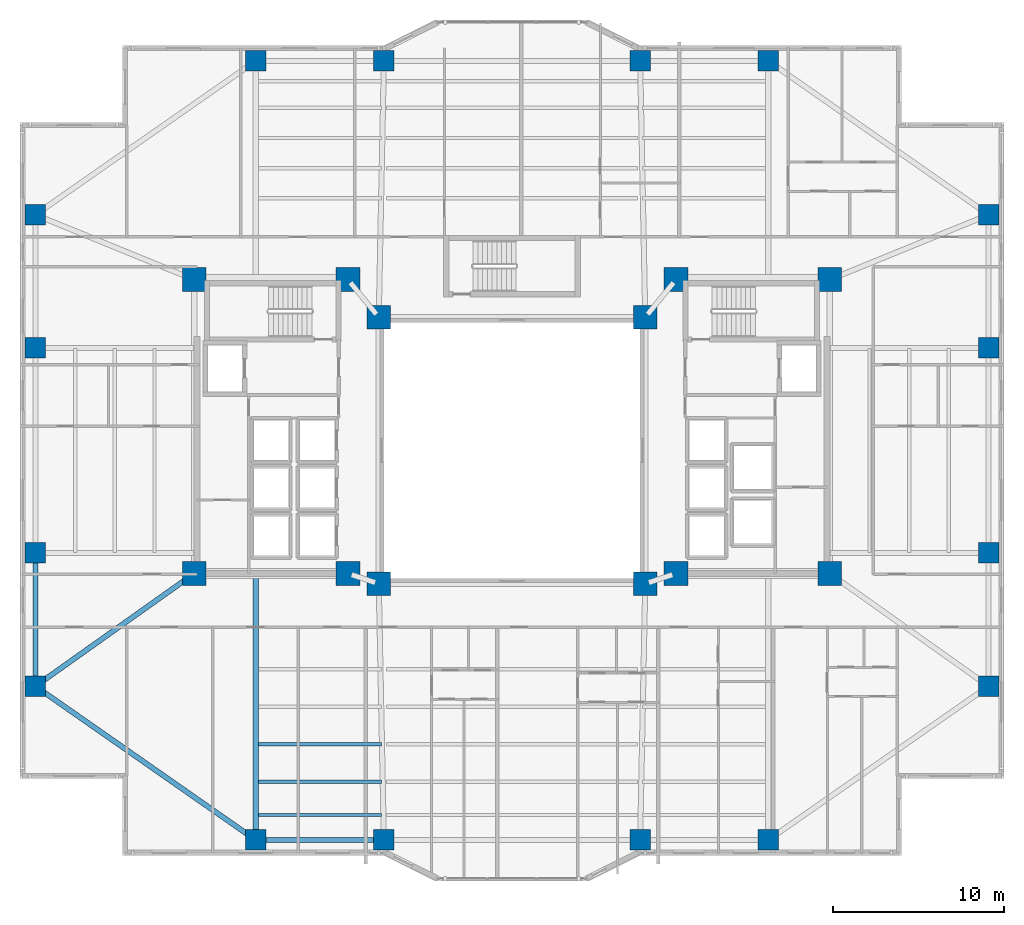
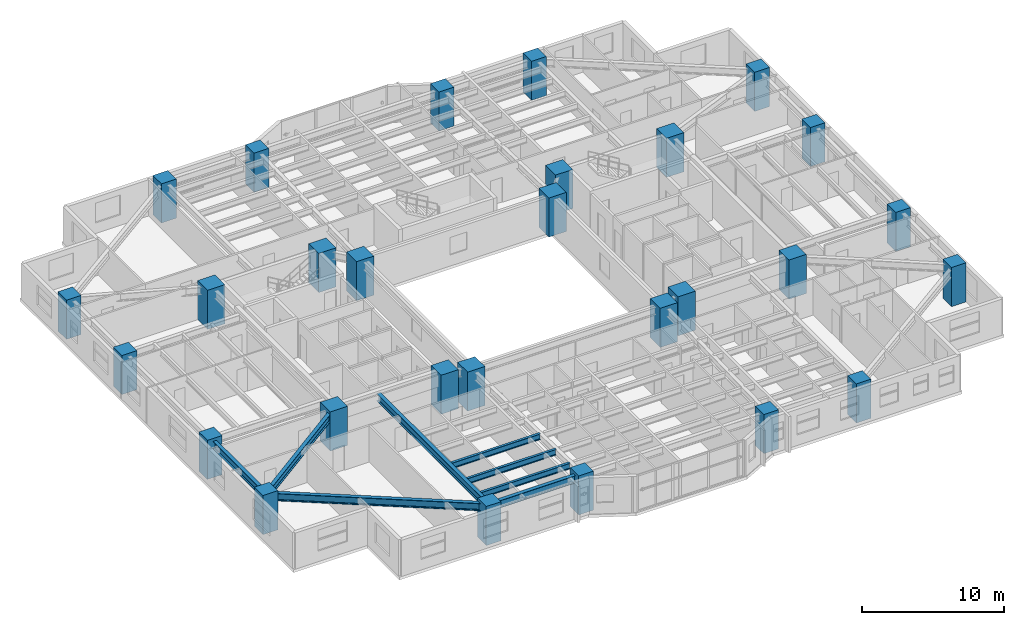
# One storey, part 1 of 21: 28 columns, 8 beams.
"""IFC4 building model written with IfcOpenShell, lengths in metres."""

import ifcopenshell
import ifcopenshell.guid

model = None  # the IFC model being written
_history = None  # IfcOwnerHistory: only IFC2X3 demands one
_inside = {}  # id of a spatial element -> (the spatial element, [elements in it])
_under = {}  # id of a project, library or spatial element -> (it, [spatial elements below it])
_declared = {}  # id of a project -> (the project, [libraries it declares])
_typed = {}  # id of a type object -> (the type object, [elements of that type])
_made_of = {}  # id of a material, layer set ... -> (it, [elements and type objects made of it])


def new_model(schema):
    """Start an empty IFC model of exactly this schema.

    Asked for "IFC4X3", IfcOpenShell would pick the latest addendum, in which some entities
    have other attributes; the version numbers below select the first issue.
    IFC2X3 requires an IfcOwnerHistory on every rooted entity: one is made here for all.
    """
    global model, _history
    if schema == "IFC4X3":
        model = ifcopenshell.file(schema_version=(4, 3, 0, 0))
    else:
        model = ifcopenshell.file(schema=schema)
    _inside.clear()
    _under.clear()
    _declared.clear()
    _typed.clear()
    _made_of.clear()
    _history = None
    if model.schema == "IFC2X3":
        org = make("IfcOrganization", Name="unknown")
        user = make(
            "IfcPersonAndOrganization",
            ThePerson=make("IfcPerson", FamilyName="unknown"),
            TheOrganization=org,
        )
        app = make(
            "IfcApplication",
            ApplicationDeveloper=org,
            Version="unknown",
            ApplicationFullName="unknown",
            ApplicationIdentifier="unknown",
        )
        _history = make(
            "IfcOwnerHistory",
            OwningUser=user,
            OwningApplication=app,
            ChangeAction="ADDED",
            CreationDate=0,
        )
    return model


def make(cls, **values):
    """One entity of the class cls with the attributes given. An attribute that is None is left unset."""
    return model.create_entity(
        cls, **{name: value for name, value in values.items() if value is not None}
    )


def rooted(cls, **values):
    """An entity with a GlobalId (a new one), such as an element, a storey or a relation."""
    return make(cls, GlobalId=ifcopenshell.guid.new(), OwnerHistory=_history, **values)


def si_unit(unit_type, name, prefix=None):
    """IfcSIUnit, for example si_unit("LENGTHUNIT", "METRE", prefix="MILLI")."""
    return make("IfcSIUnit", UnitType=unit_type, Prefix=prefix, Name=name)


def assignment(units):
    """IfcUnitAssignment: the units of a project."""
    return None if units is None else make("IfcUnitAssignment", Units=units)


def point(xyz):
    """IfcCartesianPoint."""
    return None if xyz is None else make("IfcCartesianPoint", Coordinates=xyz)


def direction(xyz):
    """IfcDirection."""
    return None if xyz is None else make("IfcDirection", DirectionRatios=xyz)


def frame(location, z_axis=None, x_axis=None):
    """IfcAxis2Placement3D, a coordinate frame: its origin and axes. An axis left out is left unset."""
    return make(
        "IfcAxis2Placement3D",
        Location=point(location),
        Axis=direction(z_axis),
        RefDirection=direction(x_axis),
    )


def frame_2d(location, x_axis=None):
    """IfcAxis2Placement2D, a coordinate frame in the plane: its origin and x axis."""
    return make(
        "IfcAxis2Placement2D", Location=point(location), RefDirection=direction(x_axis)
    )


def origin():
    """The frame at (0, 0, 0) with its axes left unset."""
    return frame((0.0, 0.0, 0.0))


def origin_2d():
    """The frame at (0, 0) in the plane with its x axis left unset."""
    return frame_2d((0.0, 0.0))


def place(relative_to, where):
    """IfcLocalPlacement: puts the frame where relative to a parent placement (None: the world)."""
    return make(
        "IfcLocalPlacement", PlacementRelTo=relative_to, RelativePlacement=where
    )


def context(
    kind, dimensions, precision=None, world=None, true_north=None, identifier=None
):
    """IfcGeometricRepresentationContext, for example the 3D "Model" context."""
    return make(
        "IfcGeometricRepresentationContext",
        ContextIdentifier=identifier,
        ContextType=kind,
        CoordinateSpaceDimension=dimensions,
        Precision=precision,
        WorldCoordinateSystem=world,
        TrueNorth=true_north,
    )


def subcontext(parent, identifier, kind, view, scale=None):
    """IfcGeometricRepresentationSubContext, for example "Body" below "Model"."""
    return make(
        "IfcGeometricRepresentationSubContext",
        ContextIdentifier=identifier,
        ContextType=kind,
        ParentContext=parent,
        TargetScale=scale,
        TargetView=view,
    )


def project(units=None, contexts=None):
    """IfcProject with its units and contexts."""
    return rooted(
        "IfcProject",
        Name="project",
        RepresentationContexts=contexts,
        UnitsInContext=assignment(units),
    )


def spatial(cls, under=None, at=None, **own):
    """A site, building, storey or space (cls), placed at a placement, below another one or the project."""
    s = rooted(cls, ObjectPlacement=at, **own)
    if under is not None:
        _under.setdefault(under.id(), (under, []))[1].append(s)
    return s


def profile(cls, at=None, kind="AREA", **sizes):
    """A parametric profile (cls). Its sizes go by their IFC names, for example OverallWidth=200.0."""
    return make(cls, ProfileType=kind, Position=at, **sizes)


def rectangle(**sizes):
    """IfcRectangleProfileDef."""
    return profile("IfcRectangleProfileDef", **sizes)


def i_section(**sizes):
    """IfcIShapeProfileDef."""
    return profile("IfcIShapeProfileDef", **sizes)


def extrude(swept, where, along, depth):
    """IfcExtrudedAreaSolid: the profile swept, set in the frame where, extruded along a direction by depth."""
    return make(
        "IfcExtrudedAreaSolid",
        SweptArea=swept,
        Position=where,
        ExtrudedDirection=direction(along),
        Depth=depth,
    )


def shape(context_of_items, identifier, shape_type, items):
    """IfcShapeRepresentation: the items that make up one representation, for example the "Body"."""
    return make(
        "IfcShapeRepresentation",
        ContextOfItems=context_of_items,
        RepresentationIdentifier=identifier,
        RepresentationType=shape_type,
        Items=items,
    )


def material(Name=None, Category=None):
    """IfcMaterial."""
    return make("IfcMaterial", Name=Name, Category=Category)


def material_profile(
    of_material, cross_section, Name=None, Category=None, Priority=None
):
    """IfcMaterialProfile: a cross section and its material."""
    return make(
        "IfcMaterialProfile",
        Name=Name,
        Material=of_material,
        Profile=cross_section,
        Priority=Priority,
        Category=Category,
    )


def profile_set(profiles, Name=None, composite=None):
    """IfcMaterialProfileSet."""
    return make(
        "IfcMaterialProfileSet",
        Name=Name,
        MaterialProfiles=profiles,
        CompositeProfile=composite,
    )


def made_of(thing, what):
    """Note that an element or type object is made of a material, layer set ...; save() writes the relation."""
    if what is not None:
        _made_of.setdefault(what.id(), (what, []))[1].append(thing)
    return thing


def type_object(cls, material=None, **own):
    """A type object (cls), such as IfcWallType, which elements share."""
    return made_of(rooted(cls, **own), material)


def element(
    cls,
    number,
    at=None,
    inside=None,
    cuts=None,
    type_object=None,
    material=None,
    context=None,
    identifier="Body",
    shape_type=None,
    held_by="IfcProductDefinitionShape",
    body=None,
    shapes=None,
    **own,
):
    """One element of the class cls, such as IfcWall. Its Tag is "e" and its number.

    at: its placement. inside: the storey or other place that contains it. cuts: it is an
    opening in that element (IfcRelVoidsElement). A single representation is given by context,
    identifier, shape_type and body (its items); several are given by shapes. held_by: the class
    of the entity that holds the representations. save() writes the other relations.
    """
    e = rooted(cls, Tag="e%d" % number, ObjectPlacement=at, **own)
    if body is not None:
        shapes = [shape(context, identifier, shape_type, body)]
    if shapes is not None:
        e.Representation = make(held_by, Representations=shapes)
    if inside is not None:
        _inside.setdefault(inside.id(), (inside, []))[1].append(e)
    if cuts is not None:
        rooted(
            "IfcRelVoidsElement", RelatingBuildingElement=cuts, RelatedOpeningElement=e
        )
    if type_object is not None:
        _typed.setdefault(type_object.id(), (type_object, []))[1].append(e)
    return made_of(e, material)


def aggregate(whole, parts):
    """IfcRelAggregates: a whole, such as a stair, and the parts it consists of."""
    return rooted("IfcRelAggregates", RelatingObject=whole, RelatedObjects=parts)


def save(model, path):
    """Write the relations noted so far, then the file.

    IfcRelAggregates (storeys below a building ...), IfcRelContainedInSpatialStructure (elements
    in a storey), IfcRelDefinesByType, IfcRelAssociatesMaterial and IfcRelDeclares: one each for
    every whole, place, type object, material and project.
    """
    for whole, parts in _under.values():
        aggregate(whole, parts)
    for where, things in _inside.values():
        rooted(
            "IfcRelContainedInSpatialStructure",
            RelatedElements=things,
            RelatingStructure=where,
        )
    for kind, things in _typed.values():
        rooted("IfcRelDefinesByType", RelatedObjects=things, RelatingType=kind)
    for what, things in _made_of.values():
        rooted("IfcRelAssociatesMaterial", RelatedObjects=things, RelatingMaterial=what)
    for by, libraries in _declared.values():
        rooted("IfcRelDeclares", RelatingContext=by, RelatedDefinitions=libraries)
    model.write(path)


model = new_model("IFC4")

# Units and contexts
model_context = context("Model", 3, precision=1e-05, world=origin(), true_north=direction((0.0, 1.0)))
body_context = subcontext(model_context, "Body", "Model", "MODEL_VIEW")
ifc_project = project(units=[si_unit("LENGTHUNIT", "METRE"), si_unit("AREAUNIT", "SQUARE_METRE"), si_unit("VOLUMEUNIT", "CUBIC_METRE"), si_unit("PLANEANGLEUNIT", "RADIAN"), si_unit("MASSUNIT", "GRAM", prefix="KILO")], contexts=[model_context])

# Site, building, storey
site_placement = place(None, origin())
site = spatial("IfcSite", under=ifc_project, at=site_placement, CompositionType="ELEMENT")
building_placement = place(site_placement, origin())
building = spatial("IfcBuilding", under=site, at=building_placement, Name="Tarnavaz Court Tower", CompositionType="ELEMENT")
storey_placement = place(building_placement, frame((0.0, 0.0, 44.10009765625)))
storey = spatial("IfcBuildingStorey", under=building, at=storey_placement, Name="L11", CompositionType="ELEMENT", Elevation=44.10009765625)

# Columns
ifc_material_1 = material(Name="Concrete C60/75", Category="concrete")
ifc_material_profile_1 = material_profile(ifc_material_1, rectangle(XDim=1.199951171875, YDim=1.199951171875, at=origin_2d()), Name="RC 1200X1200")
ifc_profile_set_1 = profile_set([ifc_material_profile_1], Name="Concrete C60/75")
column_type_1 = type_object("IfcColumnType", Name="CL-RC1200", PredefinedType="COLUMN", material=ifc_profile_set_1)
for number, where, z_axis, x_axis, name in (
    (1, (-15.0, 22.800048828125, 0.0), (0.0, 0.0, 1.0), (1.0, 0.0, 0.0), "L11 Column PN-1"),
    (2, (-7.5, 22.800048828125, 0.0), (0.0, 0.0, 1.0), (1.0, 0.0, 0.0), "L11 Column PN-2"),
    (3, (7.5, 22.800048828125, 0.0), (0.0, 0.0, 1.0), (1.0, 0.0, 0.0), "L11 Column PN-3"),
    (4, (15.0, 22.800048828125, 0.0), (0.0, 0.0, 1.0), (1.0, 0.0, 0.0), "L11 Column PN-4"),
    (5, (-15.0, -22.800048828125, 0.0), (0.0, 0.0, 1.0), (1.0, 0.0, 0.0), "L11 Column PS-1"),
    (6, (-7.5, -22.800048828125, 0.0), (0.0, 0.0, 1.0), (1.0, 0.0, 0.0), "L11 Column PS-2"),
    (7, (7.5, -22.800048828125, 0.0), (0.0, 0.0, 1.0), (1.0, 0.0, 0.0), "L11 Column PS-3"),
    (8, (15.0, -22.800048828125, 0.0), (0.0, 0.0, 1.0), (1.0, 0.0, 0.0), "L11 Column PS-4"),
    (9, (27.89990234375, -13.800048828125, 0.0), (0.0, 0.0, 1.0), (1.0, 0.0, 0.0), "L11 Column PE-1"),
    (10, (27.89990234375, -6.0, 0.0), (0.0, 0.0, 1.0), (1.0, 0.0, 0.0), "L11 Column PE-2"),
    (11, (27.89990234375, 6.0, 0.0), (0.0, 0.0, 1.0), (1.0, 0.0, 0.0), "L11 Column PE-3"),
    (12, (27.89990234375, 13.800048828125, 0.0), (0.0, 0.0, 1.0), (1.0, 0.0, 0.0), "L11 Column PE-4"),
    (13, (-27.89990234375, -13.800048828125, 0.0), (0.0, 0.0, 1.0), (1.0, 0.0, 0.0), "L11 Column PW-1"),
    (14, (-27.89990234375, -6.0, 0.0), (0.0, 0.0, 1.0), (1.0, 0.0, 0.0), "L11 Column PW-2"),
    (15, (-27.89990234375, 6.0, 0.0), (0.0, 0.0, 1.0), (1.0, 0.0, 0.0), "L11 Column PW-3"),
    (16, (-27.89990234375, 13.800048828125, 0.0), (0.0, 0.0, 1.0), (1.0, 0.0, 0.0), "L11 Column PW-4"),
):
    element("IfcColumn", number, at=place(storey_placement, frame(where, z_axis=z_axis, x_axis=x_axis)), inside=storey, type_object=column_type_1, Name=name, PredefinedType="COLUMN", context=body_context, shape_type="SweptSolid", body=[
        extrude(rectangle(XDim=1.199951171875, YDim=1.199951171875, at=origin_2d()), origin(), (0.0, 0.0, 1.0), 3.349853515625),
    ])
ifc_material_profile_2 = material_profile(ifc_material_1, rectangle(XDim=1.39990234375, YDim=1.39990234375, at=origin_2d()), Name="RC 1400X1400")
ifc_profile_set_2 = profile_set([ifc_material_profile_2], Name="Concrete C60/75")
column_type_2 = type_object("IfcColumnType", Name="CL-RC1400", PredefinedType="COLUMN", material=ifc_profile_set_2)
for number, where, z_axis, x_axis, name in (
    (17, (-7.800048828125, -7.800048828125, 0.0), (0.0, 0.0, 1.0), (1.0, 0.0, 0.0), "L11 Column IW-SW"),
    (18, (7.800048828125, -7.800048828125, 0.0), (0.0, 0.0, 1.0), (1.0, 0.0, 0.0), "L11 Column IW-SE"),
    (19, (-7.800048828125, 7.800048828125, 0.0), (0.0, 0.0, 1.0), (1.0, 0.0, 0.0), "L11 Column IW-NW"),
    (20, (7.800048828125, 7.800048828125, 0.0), (0.0, 0.0, 1.0), (1.0, 0.0, 0.0), "L11 Column IW-NE"),
    (21, (-9.60009765625, -7.199951171875, 0.0), (0.0, 0.0, 1.0), (1.0, 0.0, 0.0), "L11 Column CW-SI"),
    (22, (-9.60009765625, 10.0, 0.0), (0.0, 0.0, 1.0), (1.0, 0.0, 0.0), "L11 Column CW-NI"),
    (23, (9.60009765625, -7.199951171875, 0.0), (0.0, 0.0, 1.0), (1.0, 0.0, 0.0), "L11 Column CE-SI"),
    (24, (9.60009765625, 10.0, 0.0), (0.0, 0.0, 1.0), (1.0, 0.0, 0.0), "L11 Column CE-NI"),
    (25, (-18.60009765625, -7.199951171875, 0.0), (0.0, 0.0, 1.0), (1.0, 0.0, 0.0), "L11 Column CW-SO"),
    (26, (-18.60009765625, 10.0, 0.0), (0.0, 0.0, 1.0), (1.0, 0.0, 0.0), "L11 Column CW-NO"),
    (27, (18.60009765625, -7.199951171875, 0.0), (0.0, 0.0, 1.0), (1.0, 0.0, 0.0), "L11 Column CE-SO"),
    (28, (18.60009765625, 10.0, 0.0), (0.0, 0.0, 1.0), (1.0, 0.0, 0.0), "L11 Column CE-NO"),
):
    element("IfcColumn", number, at=place(storey_placement, frame(where, z_axis=z_axis, x_axis=x_axis)), inside=storey, type_object=column_type_2, Name=name, PredefinedType="COLUMN", context=body_context, shape_type="SweptSolid", body=[
        extrude(rectangle(XDim=1.39990234375, YDim=1.39990234375, at=origin_2d()), origin(), (0.0, 0.0, 1.0), 3.349853515625),
    ])

# Beams
ifc_material_2 = material(Name="Steel S355", Category="steel")
ifc_material_profile_3 = material_profile(ifc_material_2, i_section(OverallWidth=0.300048828125, OverallDepth=0.64990234375, WebThickness=0.01611328125, FlangeThickness=0.031005859375, FilletRadius=0.027099609375, at=origin_2d()), Name="HEB 650")
ifc_profile_set_3 = profile_set([ifc_material_profile_3], Name="Steel S355")
beam_type_1 = type_object("IfcBeamType", Name="BM-G-HEB650", PredefinedType="USERDEFINED", material=ifc_profile_set_3)
beam_1_placement = place(storey_placement, frame((-15.0, -7.239990234375, 2.77490234375), z_axis=(0.0, -1.0, 0.0), x_axis=(1.0, 0.0, 0.0)))
element("IfcBeam", 29, at=beam_1_placement, inside=storey, type_object=beam_type_1, Name="L11 Beam RG-05", ObjectType="GIRDER", PredefinedType="USERDEFINED", context=body_context, shape_type="SweptSolid", body=[
    extrude(i_section(OverallWidth=0.300048828125, OverallDepth=0.64990234375, WebThickness=0.01611328125, FlangeThickness=0.031005859375, FilletRadius=0.027099609375, at=origin_2d()), origin(), (0.0, 0.0, 1.0), 15.340087890625),
])
beam_2_placement = place(storey_placement, frame((-18.779296875, -7.327392578125, 2.77490234375), z_axis=(-0.815520027245, -0.578728852886, 0.0), x_axis=(0.578728852886, -0.815520027245, 0.0)))
element("IfcBeam", 30, at=beam_2_placement, inside=storey, type_object=beam_type_1, Name="L11 Beam RG-15", ObjectType="GIRDER", PredefinedType="USERDEFINED", context=body_context, shape_type="SweptSolid", body=[
    extrude(i_section(OverallWidth=0.300048828125, OverallDepth=0.64990234375, WebThickness=0.01611328125, FlangeThickness=0.031005859375, FilletRadius=0.027099609375, at=origin_2d()), origin(), (0.0, 0.0, 1.0), 10.964111328125),
])
ifc_material_profile_4 = material_profile(ifc_material_2, i_section(OverallWidth=0.199951171875, OverallDepth=0.5, WebThickness=0.01025390625, FlangeThickness=0.01611328125, FilletRadius=0.02099609375, at=origin_2d()), Name="IPE 500")
ifc_profile_set_4 = profile_set([ifc_material_profile_4], Name="Steel S355")
beam_type_2 = type_object("IfcBeamType", Name="BM-J-IPE500", PredefinedType="JOIST", material=ifc_profile_set_4)
for number, where, z_axis, x_axis, name in (
    (31, (-14.85009765625, -17.18798828125, 2.849853515625), (1.0, 0.0, 0.0), (0.0, 1.0, 0.0), "L11 Beam JS3-1"),
    (32, (-14.85009765625, -19.384033203125, 2.849853515625), (1.0, 0.0, 0.0), (0.0, 1.0, 0.0), "L11 Beam JS4-1"),
    (33, (-14.85009765625, -21.3359375, 2.849853515625), (1.0, 0.0, 0.0), (0.0, 1.0, 0.0), "L11 Beam JS5-1"),
):
    element("IfcBeam", number, at=place(storey_placement, frame(where, z_axis=z_axis, x_axis=x_axis)), inside=storey, type_object=beam_type_2, Name=name, PredefinedType="JOIST", context=body_context, shape_type="SweptSolid", body=[
        extrude(i_section(OverallWidth=0.199951171875, OverallDepth=0.5, WebThickness=0.01025390625, FlangeThickness=0.01611328125, FilletRadius=0.02099609375, at=origin_2d()), origin(), (0.0, 0.0, 1.0), 7.2001953125),
    ])
ifc_material_profile_5 = material_profile(ifc_material_2, i_section(OverallWidth=0.300048828125, OverallDepth=0.639892578125, WebThickness=0.013427734375, FlangeThickness=0.02587890625, FilletRadius=0.027099609375, at=origin_2d()), Name="HEA 650")
ifc_profile_set_5 = profile_set([ifc_material_profile_5], Name="Steel S355")
beam_type_3 = type_object("IfcBeamType", Name="BM-SP-HEA650", PredefinedType="SPANDREL", material=ifc_profile_set_5)
beam_3_placement = place(storey_placement, frame((-14.780029296875, -22.800048828125, 2.77978515625), z_axis=(1.0, 0.0, 0.0), x_axis=(0.0, 1.0, 0.0)))
element("IfcBeam", 34, at=beam_3_placement, inside=storey, type_object=beam_type_3, Name="L11 Beam PR-PS-1-PS-2", PredefinedType="SPANDREL", context=body_context, shape_type="SweptSolid", body=[
    extrude(i_section(OverallWidth=0.300048828125, OverallDepth=0.639892578125, WebThickness=0.013427734375, FlangeThickness=0.02587890625, FilletRadius=0.027099609375, at=origin_2d()), origin(), (0.0, 0.0, 1.0), 7.06005859375),
])
beam_4_placement = place(storey_placement, frame((-27.89990234375, -13.580078125, 2.77978515625), z_axis=(0.0, 1.0, 0.0), x_axis=(-1.0, 0.0, 0.0)))
element("IfcBeam", 35, at=beam_4_placement, inside=storey, type_object=beam_type_3, Name="L11 Beam PR-PW-1-PW-2", PredefinedType="SPANDREL", context=body_context, shape_type="SweptSolid", body=[
    extrude(i_section(OverallWidth=0.300048828125, OverallDepth=0.639892578125, WebThickness=0.013427734375, FlangeThickness=0.02587890625, FilletRadius=0.027099609375, at=origin_2d()), origin(), (0.0, 0.0, 1.0), 7.360107421875),
])
beam_5_placement = place(storey_placement, frame((-15.180419921875, -22.674072265625, 2.77978515625), z_axis=(-0.820123643324, 0.572186341729, 0.0), x_axis=(-0.572186341729, -0.820123643324, 0.0)))
element("IfcBeam", 36, at=beam_5_placement, inside=storey, type_object=beam_type_3, Name="L11 Beam PR-PS-1-PW-1", PredefinedType="SPANDREL", context=body_context, shape_type="SweptSolid", body=[
    extrude(i_section(OverallWidth=0.300048828125, OverallDepth=0.639892578125, WebThickness=0.013427734375, FlangeThickness=0.02587890625, FilletRadius=0.027099609375, at=origin_2d()), origin(), (0.0, 0.0, 1.0), 15.289306640625),
])

save(model, "model.ifc")
